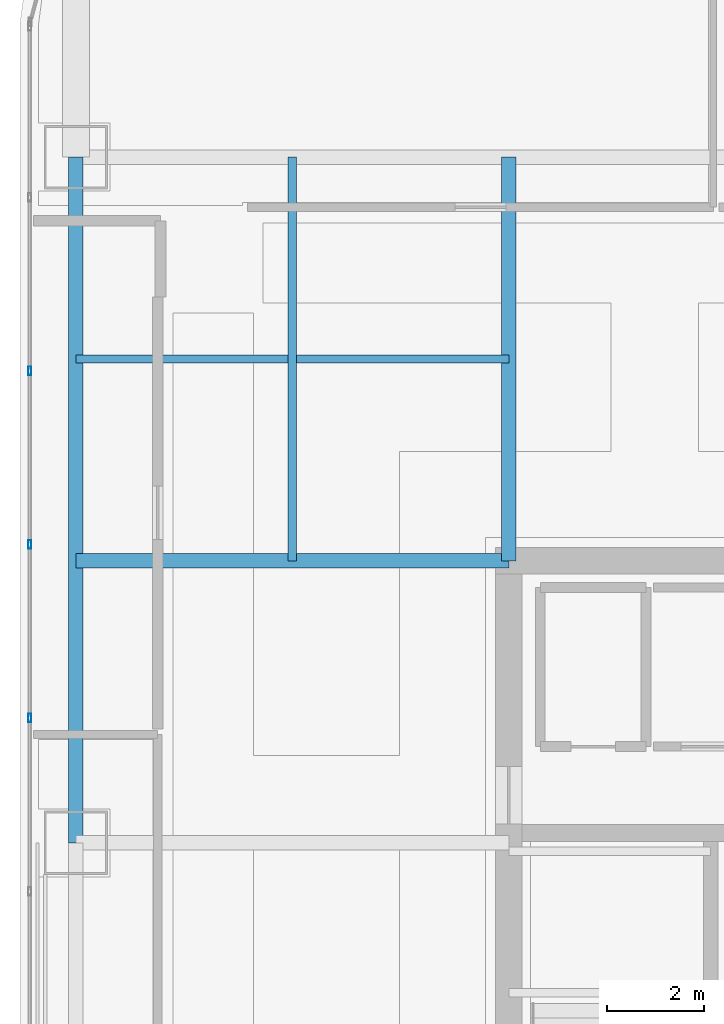
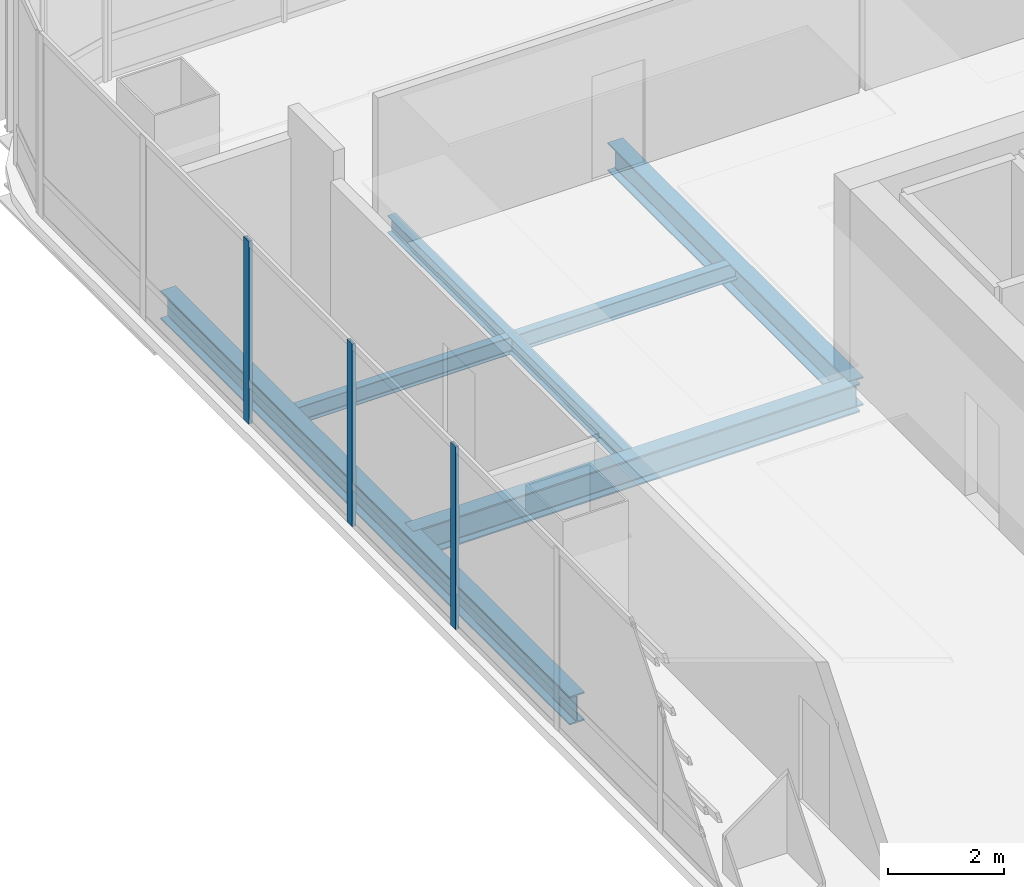
# One storey, part 12 of 42: 5 beams, 3 members, 1 element without a shape of its own.
"""IFC4 building model written with IfcOpenShell, lengths in metres."""

from ifc_helpers import new_model, si_unit, direction, frame, origin, origin_2d, place, context, subcontext, project, spatial, hollow_rectangle, i_section, extrude, material, material_profile, profile_set, type_object, element, aggregate, save


model = new_model("IFC4")

# Units and contexts
model_context = context("Model", 3, precision=1e-05, world=origin(), true_north=direction((0.0, 1.0)))
body_context = subcontext(model_context, "Body", "Model", "MODEL_VIEW")
ifc_project = project(units=[si_unit("LENGTHUNIT", "METRE"), si_unit("AREAUNIT", "SQUARE_METRE"), si_unit("VOLUMEUNIT", "CUBIC_METRE"), si_unit("PLANEANGLEUNIT", "RADIAN"), si_unit("MASSUNIT", "GRAM", prefix="KILO")], contexts=[model_context])

# Site, building, storey
site_placement = place(None, origin())
site = spatial("IfcSite", under=ifc_project, at=site_placement, CompositionType="ELEMENT")
building_placement = place(site_placement, origin())
building = spatial("IfcBuilding", under=site, at=building_placement, Name="Punatoya Terracotta Tower", CompositionType="ELEMENT")
storey_placement = place(building_placement, frame((0.0, 0.0, 263.550048828125)))
storey = spatial("IfcBuildingStorey", under=building, at=storey_placement, Name="L62", CompositionType="ELEMENT", Elevation=263.550048828125)

# Beams
ifc_material_1 = material(Name="Steel S355", Category="steel")
ifc_material_profile_1 = material_profile(ifc_material_1, i_section(OverallWidth=0.300048828125, OverallDepth=0.60009765625, WebThickness=0.015380859375, FlangeThickness=0.030029296875, FilletRadius=0.01806640625, at=origin_2d()))
ifc_profile_set_1 = profile_set([ifc_material_profile_1], Name="Steel S355")
beam_type_1 = type_object("IfcBeamType", Name="BM-PRI-600", PredefinedType="BEAM", material=ifc_profile_set_1)
beam_1_placement = place(storey_placement, frame((-19.10009765625, 3.39990234375, -0.5), z_axis=(0.0, 1.0, 0.0), x_axis=(-1.0, 0.0, 0.0)))
element("IfcBeam", 1, at=beam_1_placement, inside=storey, type_object=beam_type_1, Name="BM-L62-RG-W3", PredefinedType="BEAM", context=body_context, shape_type="SweptSolid", body=[
    extrude(i_section(OverallWidth=0.300048828125, OverallDepth=0.60009765625, WebThickness=0.015380859375, FlangeThickness=0.030029296875, FilletRadius=0.01806640625, at=origin_2d()), origin(), (0.0, 0.0, 1.0), 14.10009765625),
])
beam_2_placement = place(storey_placement, frame((-19.10009765625, 9.199951171875, -0.5), z_axis=(1.0, 0.0, 0.0), x_axis=(0.0, 1.0, 0.0)))
element("IfcBeam", 2, at=beam_2_placement, inside=storey, type_object=beam_type_1, Name="BM-L62-PR-WN", PredefinedType="BEAM", context=body_context, shape_type="SweptSolid", body=[
    extrude(i_section(OverallWidth=0.300048828125, OverallDepth=0.60009765625, WebThickness=0.015380859375, FlangeThickness=0.030029296875, FilletRadius=0.01806640625, at=origin_2d()), origin(), (0.0, 0.0, 1.0), 8.900146484375),
])
beam_3_placement = place(storey_placement, frame((-10.199951171875, 9.199951171875, -0.5), z_axis=(0.0, 1.0, 0.0), x_axis=(-1.0, 0.0, 0.0)))
element("IfcBeam", 3, at=beam_3_placement, inside=storey, type_object=beam_type_1, Name="BM-L62-PR-N1", PredefinedType="BEAM", context=body_context, shape_type="SweptSolid", body=[
    extrude(i_section(OverallWidth=0.300048828125, OverallDepth=0.60009765625, WebThickness=0.015380859375, FlangeThickness=0.030029296875, FilletRadius=0.01806640625, at=origin_2d()), origin(), (0.0, 0.0, 1.0), 8.300048828125),
])
ifc_material_profile_2 = material_profile(ifc_material_1, i_section(OverallWidth=0.169921875, OverallDepth=0.360107421875, WebThickness=0.008056640625, FlangeThickness=0.0126953125, FilletRadius=0.01806640625, at=origin_2d()))
ifc_profile_set_2 = profile_set([ifc_material_profile_2], Name="Steel S355")
beam_type_2 = type_object("IfcBeamType", Name="BM-SEC-360", PredefinedType="JOIST", material=ifc_profile_set_2)
beam_4_placement = place(storey_placement, frame((-19.10009765625, 13.35009765625, -0.380126953125), z_axis=(1.0, 0.0, 0.0), x_axis=(0.0, 1.0, 0.0)))
element("IfcBeam", 4, at=beam_4_placement, inside=storey, type_object=beam_type_2, Name="BM-L62-SJN-1", PredefinedType="JOIST", context=body_context, shape_type="SweptSolid", body=[
    extrude(i_section(OverallWidth=0.169921875, OverallDepth=0.360107421875, WebThickness=0.008056640625, FlangeThickness=0.0126953125, FilletRadius=0.01806640625, at=origin_2d()), origin(), (0.0, 0.0, 1.0), 8.900146484375),
])
beam_5_placement = place(storey_placement, frame((-14.64990234375, 9.199951171875, -0.380126953125), z_axis=(0.0, 1.0, 0.0), x_axis=(-1.0, 0.0, 0.0)))
element("IfcBeam", 5, at=beam_5_placement, inside=storey, type_object=beam_type_2, Name="BM-L62-SJW-2", PredefinedType="JOIST", context=body_context, shape_type="SweptSolid", body=[
    extrude(i_section(OverallWidth=0.169921875, OverallDepth=0.360107421875, WebThickness=0.008056640625, FlangeThickness=0.0126953125, FilletRadius=0.01806640625, at=origin_2d()), origin(), (0.0, 0.0, 1.0), 8.300048828125),
])

# Curtain wall, members
ifc_material_2 = material(Name="Aluminium 6063-T6 + Double Low-E Glass", Category="aluminium")
curtain_wall_type = type_object("IfcCurtainWallType", Name="CW-M3", PredefinedType="NOTDEFINED", material=ifc_material_2)
curtain_wall_placement = place(storey_placement, origin())
curtain_wall = element("IfcCurtainWall", 6, at=curtain_wall_placement, inside=storey, type_object=curtain_wall_type, Name="L62 Curtain Wall CW-L62-W13-1", PredefinedType="NOTDEFINED")
ifc_material_3 = material(Name="Aluminium 6063-T6", Category="aluminium")
ifc_material_profile_3 = material_profile(ifc_material_3, hollow_rectangle(XDim=0.070068359375, YDim=0.179931640625, WallThickness=0.00390625, at=origin_2d()))
ifc_profile_set_3 = profile_set([ifc_material_profile_3], Name="Aluminium 6063-T6")
member_type = type_object("IfcMemberType", Name="CW-MUL-M3", PredefinedType="MULLION", material=ifc_profile_set_3)
member_1_placement = place(storey_placement, frame((-20.050048828125, 13.10205078125, 0.0), z_axis=(0.0, 0.0, 1.0), x_axis=(1.0, 0.0, 0.0)))
member_1 = element("IfcMember", 7, at=member_1_placement, type_object=member_type, Name="CW-L62-W13-1 Mullion 02", PredefinedType="MULLION", context=body_context, shape_type="SweptSolid", body=[
    extrude(hollow_rectangle(XDim=0.070068359375, YDim=0.179931640625, WallThickness=0.00390625, at=origin_2d()), origin(), (0.0, 0.0, 1.0), 3.849853515625),
])
member_2_placement = place(storey_placement, frame((-20.050048828125, 9.534912109375, 0.0), z_axis=(0.0, 0.0, 1.0), x_axis=(1.0, 0.0, 0.0)))
member_2 = element("IfcMember", 8, at=member_2_placement, type_object=member_type, Name="CW-L62-W13-1 Mullion 03", PredefinedType="MULLION", context=body_context, shape_type="SweptSolid", body=[
    extrude(hollow_rectangle(XDim=0.070068359375, YDim=0.179931640625, WallThickness=0.00390625, at=origin_2d()), origin(), (0.0, 0.0, 1.0), 3.849853515625),
])
member_3_placement = place(storey_placement, frame((-20.050048828125, 5.96728515625, 0.0), z_axis=(0.0, 0.0, 1.0), x_axis=(1.0, 0.0, 0.0)))
member_3 = element("IfcMember", 9, at=member_3_placement, type_object=member_type, Name="CW-L62-W13-1 Mullion 04", PredefinedType="MULLION", context=body_context, shape_type="SweptSolid", body=[
    extrude(hollow_rectangle(XDim=0.070068359375, YDim=0.179931640625, WallThickness=0.00390625, at=origin_2d()), origin(), (0.0, 0.0, 1.0), 3.849853515625),
])
aggregate(curtain_wall, [member_1, member_2, member_3])

save(model, "model.ifc")
